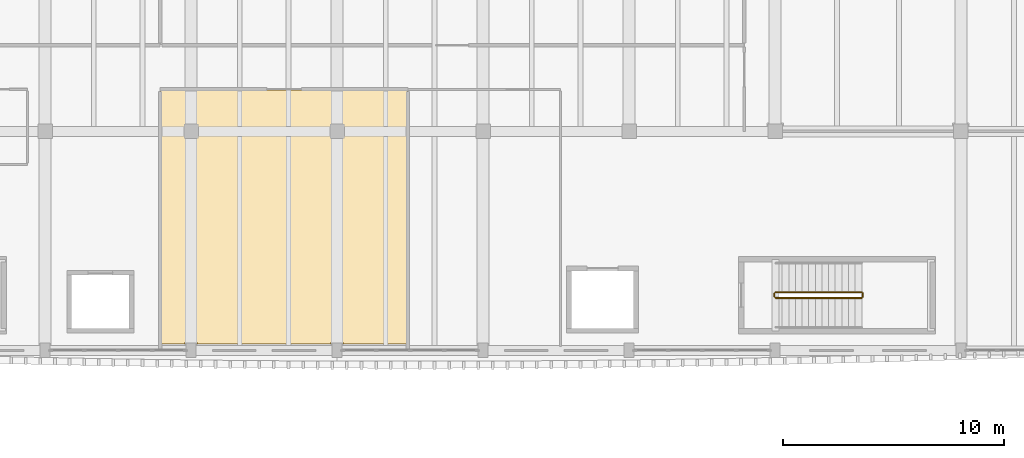
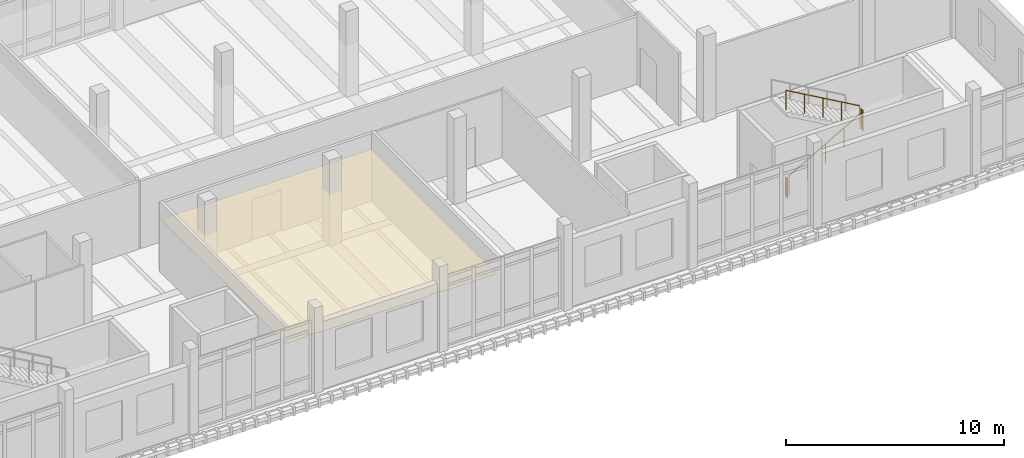
# One storey, part 41 of 50: 4 railings, 1 covering.
"""IFC4 building model written with IfcOpenShell, lengths in metres."""

from ifc_helpers import new_model, si_unit, direction, frame, origin, origin_2d, place, context, subcontext, project, spatial, polyline, circle, outline, extrude, material, layer, layer_set, type_object, element, save


model = new_model("IFC4")

# Units and contexts
model_context = context("Model", 3, precision=1e-05, world=origin(), true_north=direction((0.0, 1.0)))
body_context = subcontext(model_context, "Body", "Model", "MODEL_VIEW")
ifc_project = project(units=[si_unit("LENGTHUNIT", "METRE"), si_unit("AREAUNIT", "SQUARE_METRE"), si_unit("VOLUMEUNIT", "CUBIC_METRE"), si_unit("PLANEANGLEUNIT", "RADIAN"), si_unit("MASSUNIT", "GRAM", prefix="KILO")], contexts=[model_context])

# Site, building, storey
site_placement = place(None, origin())
site = spatial("IfcSite", under=ifc_project, at=site_placement, CompositionType="ELEMENT")
building_placement = place(site_placement, origin())
building = spatial("IfcBuilding", under=site, at=building_placement, Name="Dornvale Research Institute", CompositionType="ELEMENT")
storey_placement = place(building_placement, frame((0.0, 0.0, 19.800048828125)))
storey = spatial("IfcBuildingStorey", under=building, at=storey_placement, Name="L04", CompositionType="ELEMENT", Elevation=19.800048828125)

# Covering
ifc_material_1 = material(Name="Mineral-Fibre Acoustic Lay-In Ceiling Tile System")
ifc_layer_1 = layer(ifc_material_1, 0.02001953125)
ifc_layer_set_1 = layer_set([ifc_layer_1], Name="Mineral-Fibre Acoustic Lay-In Ceiling Tile System")
covering_type = type_object("IfcCoveringType", Name="Covering_Acoustic_Ceiling", PredefinedType="CEILING", material=ifc_layer_set_1)
covering_placement = place(storey_placement, frame((0.0, 0.0, 2.849853515625)))
element("IfcCovering", 1, at=covering_placement, inside=storey, type_object=covering_type, Name="L04 Laboratory Instrument Support Room L04 suspended ceiling", PredefinedType="CEILING", context=body_context, shape_type="SweptSolid", body=[
    extrude(outline(polyline([(138.875, 92.699951171875), (138.875, 92.77490234375), (138.324951171875, 92.77490234375), (138.324951171875, 92.699951171875), (137.219970703125, 92.699951171875), (137.219970703125, 104.179931640625), (148.3798828125, 104.179931640625), (148.3798828125, 92.699951171875), (145.47509765625, 92.699951171875), (145.47509765625, 92.77490234375), (144.925048828125, 92.77490234375), (144.925048828125, 92.699951171875), (138.875, 92.699951171875)])), origin(), (0.0, 0.0, 1.0), 0.02001953125),
])

# Railings
ifc_material_2 = material(Name="Galvanized Painted Tubular Steel Stair Rail", Category="steel")
ifc_layer_2 = layer(ifc_material_2, 0.050048828125)
ifc_layer_set_2 = layer_set([ifc_layer_2], Name="Galvanized Painted Tubular Steel Stair Rail")
railing_type = type_object("IfcRailingType", Name="Railing_Stair_Guard_1100", PredefinedType="GUARDRAIL", material=ifc_layer_set_2)
railing_1_placement = place(storey_placement, frame((165.02001953125, 94.77001953125, 0.17138671875)))
element("IfcRailing", 2, at=railing_1_placement, inside=storey, type_object=railing_type, Name="L04 ST-4 stair guard 1", PredefinedType="GUARDRAIL", context=body_context, shape_type="SweptSolid", body=[
    extrude(circle(Radius=0.02392578125, at=origin_2d()), frame((0.0, 0.0, 1.076171875), z_axis=(0.868243142124, 0.0, 0.496138938357), x_axis=(0.0, 1.0, 0.0)), (0.0, 0.0, 1.0), 4.49169921875),
    extrude(circle(Radius=0.02099609375, at=origin_2d()), origin(), (0.0, 0.0, 1.0), 1.052001953125),
    extrude(circle(Radius=0.02099609375, at=origin_2d()), frame((0.97509765625, 0.0, 0.55712890625)), (0.0, 0.0, 1.0), 1.052001953125),
    extrude(circle(Radius=0.02099609375, at=origin_2d()), frame((1.949951171875, 0.0, 1.1142578125)), (0.0, 0.0, 1.0), 1.052001953125),
    extrude(circle(Radius=0.02099609375, at=origin_2d()), frame((2.9248046875, 0.0, 1.67138671875)), (0.0, 0.0, 1.0), 1.052001953125),
    extrude(circle(Radius=0.02099609375, at=origin_2d()), frame((3.89990234375, 0.0, 2.228515625)), (0.0, 0.0, 1.0), 1.052001953125),
])
railing_2_placement = place(storey_placement, frame((168.969970703125, 94.820068359375, 2.39990234375)))
element("IfcRailing", 3, at=railing_2_placement, inside=storey, type_object=railing_type, Name="L04 ST-4 stair guard 2", PredefinedType="GUARDRAIL", context=body_context, shape_type="SweptSolid", body=[
    extrude(circle(Radius=0.02392578125, at=origin_2d()), frame((0.0, 0.0, 1.076171875), z_axis=(0.0, 1.0, 0.0), x_axis=(-1.0, 0.0, 0.0)), (0.0, 0.0, 1.0), 0.159912109375),
    extrude(circle(Radius=0.02099609375, at=origin_2d()), origin(), (0.0, 0.0, 1.0), 1.052001953125),
    extrude(circle(Radius=0.02099609375, at=origin_2d()), frame((0.0, 0.159912109375, 0.0)), (0.0, 0.0, 1.0), 1.052001953125),
])
railing_3_placement = place(storey_placement, frame((168.919921875, 95.030029296875, 2.5712890625)))
element("IfcRailing", 4, at=railing_3_placement, inside=storey, type_object=railing_type, Name="L04 ST-4 stair guard 3", PredefinedType="GUARDRAIL", context=body_context, shape_type="SweptSolid", body=[
    extrude(circle(Radius=0.02392578125, at=origin_2d()), frame((0.0, 0.0, 1.076171875), z_axis=(-0.868219727965, 0.0, 0.496179910892), x_axis=(0.0, -1.0, 0.0)), (0.0, 0.0, 1.0), 4.491943359375),
    extrude(circle(Radius=0.02099609375, at=origin_2d()), origin(), (0.0, 0.0, 1.0), 1.052001953125),
    extrude(circle(Radius=0.02099609375, at=origin_2d()), frame((-0.97509765625, 0.0, 0.55712890625)), (0.0, 0.0, 1.0), 1.052001953125),
    extrude(circle(Radius=0.02099609375, at=origin_2d()), frame((-1.949951171875, 0.0, 1.1142578125)), (0.0, 0.0, 1.0), 1.052001953125),
    extrude(circle(Radius=0.02099609375, at=origin_2d()), frame((-2.9248046875, 0.0, 1.671630859375)), (0.0, 0.0, 1.0), 1.052001953125),
    extrude(circle(Radius=0.02099609375, at=origin_2d()), frame((-3.89990234375, 0.0, 2.228759765625)), (0.0, 0.0, 1.0), 1.052001953125),
])
railing_4_placement = place(storey_placement, frame((164.969970703125, 94.820068359375, 0.0)))
element("IfcRailing", 5, at=railing_4_placement, inside=storey, type_object=railing_type, Name="L04 ST-4 stair guard 4", PredefinedType="GUARDRAIL", context=body_context, shape_type="SweptSolid", body=[
    extrude(circle(Radius=0.02392578125, at=origin_2d()), frame((0.0, 0.0, 1.076171875), z_axis=(0.0, 1.0, 0.0), x_axis=(-1.0, 0.0, 0.0)), (0.0, 0.0, 1.0), 0.159912109375),
    extrude(circle(Radius=0.02099609375, at=origin_2d()), origin(), (0.0, 0.0, 1.0), 1.052001953125),
    extrude(circle(Radius=0.02099609375, at=origin_2d()), frame((0.0, 0.159912109375, 0.0)), (0.0, 0.0, 1.0), 1.052001953125),
])

save(model, "model.ifc")
